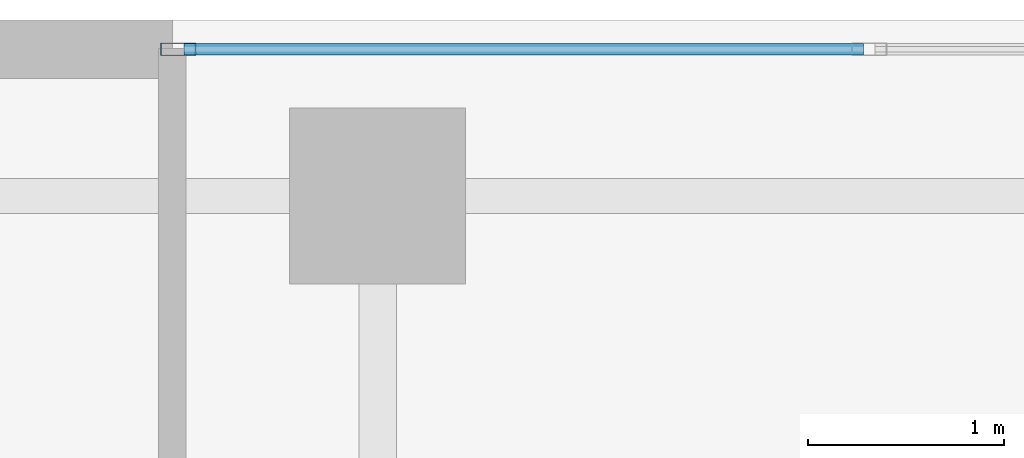
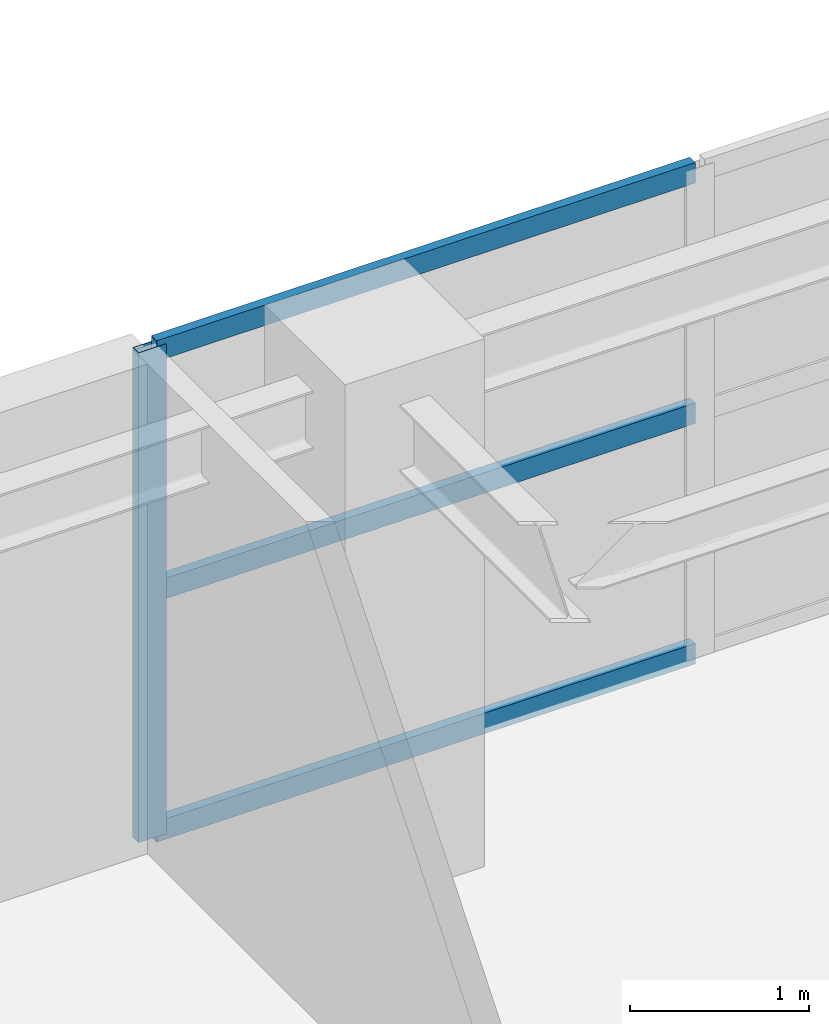
# One storey, part 15 of 24: 4 members, 1 element without a shape of its own.
"""IFC4 building model written with IfcOpenShell, lengths in metres."""

from ifc_helpers import new_model, si_unit, direction, frame, origin, origin_2d, place, context, subcontext, project, spatial, hollow_rectangle, extrude, source, transform, mapped, material, layer, layer_set, material_profile, profile_set, type_object, element, aggregate, save


model = new_model("IFC4")

# Units and contexts
model_context = context("Model", 3, precision=1e-05, world=origin(), true_north=direction((0.0, 1.0)))
body_context = subcontext(model_context, "Body", "Model", "MODEL_VIEW")
ifc_project = project(units=[si_unit("LENGTHUNIT", "METRE"), si_unit("AREAUNIT", "SQUARE_METRE"), si_unit("VOLUMEUNIT", "CUBIC_METRE"), si_unit("PLANEANGLEUNIT", "RADIAN"), si_unit("MASSUNIT", "GRAM", prefix="KILO")], contexts=[model_context])

# Site, building, storey
site_placement = place(None, origin())
site = spatial("IfcSite", under=ifc_project, at=site_placement, CompositionType="ELEMENT")
building_placement = place(site_placement, origin())
building = spatial("IfcBuilding", under=site, at=building_placement, Name="Khoralis Quay Care Tower", CompositionType="ELEMENT")
storey_placement = place(building_placement, frame((0.0, 0.0, 155.699951171875)))
storey = spatial("IfcBuildingStorey", under=building, at=storey_placement, Name="L40", CompositionType="ELEMENT", Elevation=155.699951171875)

# Curtain wall, members
ifc_material = material(Name="Pale anodised aluminium", Category="aluminium")
ifc_layer = layer(ifc_material, 0.159912109375)
ifc_layer_set = layer_set([ifc_layer], Name="Pale anodised aluminium")
curtain_wall_type = type_object("IfcCurtainWallType", Name="CW-SYS-Z3", PredefinedType="NOTDEFINED", material=ifc_layer_set)
curtain_wall_placement = place(storey_placement, origin())
curtain_wall = element("IfcCurtainWall", 1, at=curtain_wall_placement, inside=storey, type_object=curtain_wall_type, Name="L40 Unitised Curtain Wall CW-L40-P1-E10", PredefinedType="NOTDEFINED")
ifc_material_profile_1 = material_profile(ifc_material, hollow_rectangle(XDim=0.06494140625, YDim=0.179931640625, WallThickness=0.00390625, at=origin_2d()), Name="Pale anodised aluminium")
ifc_profile_set_1 = profile_set([ifc_material_profile_1], Name="Pale anodised aluminium")
member_type_1 = type_object("IfcMemberType", Name="CW-MUL-180", PredefinedType="MULLION", material=ifc_profile_set_1)
shared_shape_1 = source(origin(), body_context, "Body", "SweptSolid", [
    extrude(hollow_rectangle(XDim=0.06494140625, YDim=0.179931640625, WallThickness=0.00390625, at=origin_2d()), origin(), (0.0, 0.0, 1.0), 3.340087890625),
])
member_1_placement = place(storey_placement, frame((16.080078125, 41.85009765625, 0.0), z_axis=(0.0, 0.0, 1.0), x_axis=(0.0, -1.0, 0.0)))
member_1 = element("IfcMember", 2, at=member_1_placement, type_object=member_type_1, Name="CW3 mullion 5", PredefinedType="MULLION", context=body_context, shape_type="MappedRepresentation", body=[
    mapped(shared_shape_1, transform((0.0, 0.0, 0.0), scale=1.0)),
])
ifc_material_profile_2 = material_profile(ifc_material, hollow_rectangle(XDim=0.06005859375, YDim=0.139892578125, WallThickness=0.00390625, at=origin_2d()), Name="Pale anodised aluminium")
ifc_profile_set_2 = profile_set([ifc_material_profile_2], Name="Pale anodised aluminium")
member_type_2 = type_object("IfcMemberType", Name="CW-TRN-140", PredefinedType="USERDEFINED", material=ifc_profile_set_2)
shared_shape_2 = source(origin(), body_context, "Body", "SweptSolid", [
    extrude(hollow_rectangle(XDim=0.06005859375, YDim=0.139892578125, WallThickness=0.00390625, at=origin_2d()), origin(), (0.0, 0.0, 1.0), 3.474853515625),
])
member_2_placement = place(storey_placement, frame((19.5849609375, 41.85009765625, 0.030029296875), z_axis=(-1.0, 0.0, 0.0), x_axis=(0.0, -1.0, 0.0)))
member_2 = element("IfcMember", 3, at=member_2_placement, type_object=member_type_2, Name="CW3 transom 4.1", ObjectType="TRANSOM", PredefinedType="USERDEFINED", context=body_context, shape_type="MappedRepresentation", body=[
    mapped(shared_shape_2, transform((0.0, 0.0, 0.0), scale=1.0)),
])
member_3_placement = place(storey_placement, frame((19.5849609375, 41.85009765625, 1.670166015625), z_axis=(-1.0, 0.0, 0.0), x_axis=(0.0, -1.0, 0.0)))
member_3 = element("IfcMember", 4, at=member_3_placement, type_object=member_type_2, Name="CW3 transom 4.2", ObjectType="TRANSOM", PredefinedType="USERDEFINED", context=body_context, shape_type="MappedRepresentation", body=[
    mapped(shared_shape_2, transform((0.0, 0.0, 0.0), scale=1.0)),
])
member_4_placement = place(storey_placement, frame((19.5849609375, 41.85009765625, 3.31005859375), z_axis=(-1.0, 0.0, 0.0), x_axis=(0.0, -1.0, 0.0)))
member_4 = element("IfcMember", 5, at=member_4_placement, type_object=member_type_2, Name="CW3 transom 4.3", ObjectType="TRANSOM", PredefinedType="USERDEFINED", context=body_context, shape_type="MappedRepresentation", body=[
    mapped(shared_shape_2, transform((0.0, 0.0, 0.0), scale=1.0)),
])
aggregate(curtain_wall, [member_1, member_2, member_3, member_4])

save(model, "model.ifc")
